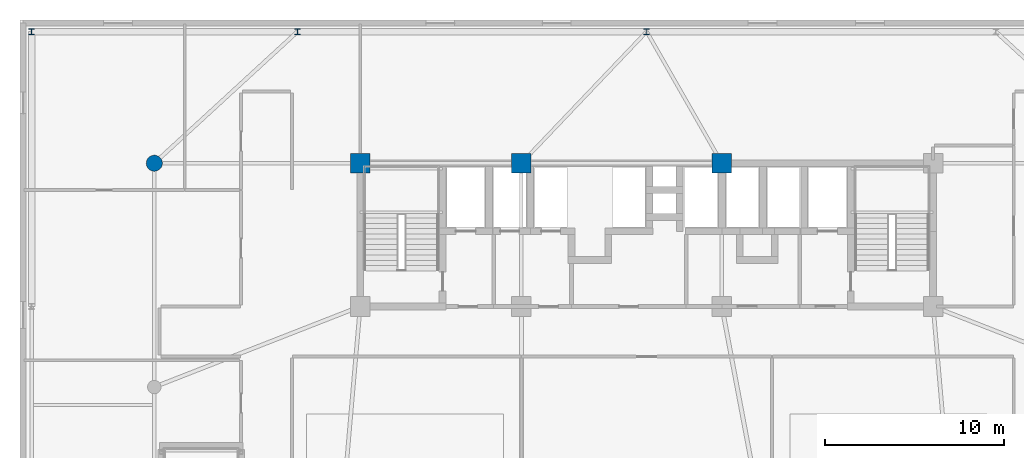
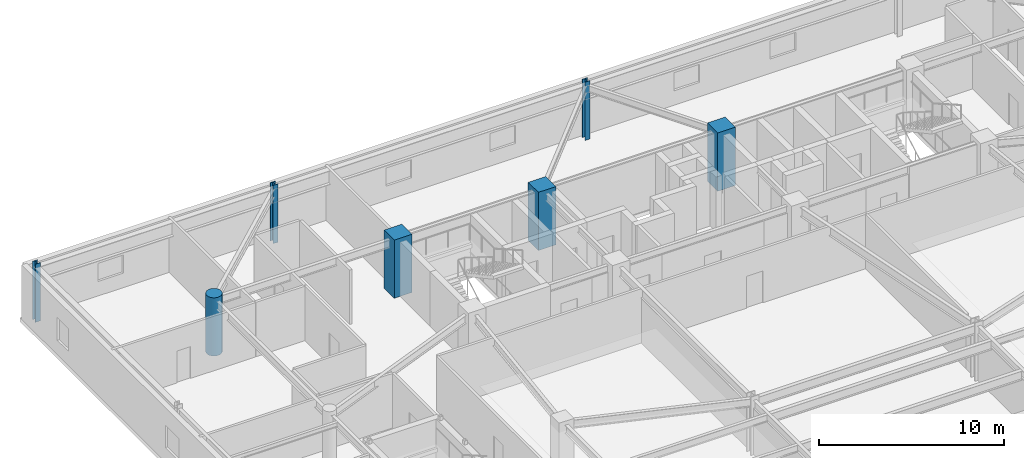
# One storey, part 4 of 26: 7 columns.
"""IFC4 building model written with IfcOpenShell, lengths in metres."""

from ifc_helpers import new_model, si_unit, direction, frame, origin, origin_2d, place, context, subcontext, project, spatial, rectangle, circle, i_section, extrude, source, transform, mapped, material, material_profile, profile_set, type_object, element, save


model = new_model("IFC4")

# Units and contexts
model_context = context("Model", 3, precision=1e-05, world=origin(), true_north=direction((0.0, 1.0)))
body_context = subcontext(model_context, "Body", "Model", "MODEL_VIEW")
ifc_project = project(units=[si_unit("LENGTHUNIT", "METRE"), si_unit("AREAUNIT", "SQUARE_METRE"), si_unit("VOLUMEUNIT", "CUBIC_METRE"), si_unit("PLANEANGLEUNIT", "RADIAN"), si_unit("MASSUNIT", "GRAM", prefix="KILO")], contexts=[model_context])

# Site, building, storey
site_placement = place(None, origin())
site = spatial("IfcSite", under=ifc_project, at=site_placement, CompositionType="ELEMENT")
building_placement = place(site_placement, origin())
building = spatial("IfcBuilding", under=site, at=building_placement, Name="Taldren Reach Tower", CompositionType="ELEMENT")
storey_placement = place(building_placement, frame((0.0, 0.0, 4.550048828125)))
storey = spatial("IfcBuildingStorey", under=building, at=storey_placement, Name="L01", CompositionType="ELEMENT", Elevation=4.550048828125)

# Columns
ifc_material_1 = material(Name="Concrete S100 (100 MPa)", Category="concrete")
ifc_material_profile_1 = material_profile(ifc_material_1, rectangle(XDim=1.10009765625, YDim=1.10009765625, at=origin_2d()), Name="RC-1100x1100")
ifc_profile_set_1 = profile_set([ifc_material_profile_1], Name="Concrete S100 (100 MPa)")
column_type_1 = type_object("IfcColumnType", Name="COL-RC1100", PredefinedType="COLUMN", material=ifc_profile_set_1)
shared_shape_1 = source(origin(), body_context, "Body", "SweptSolid", [
    extrude(rectangle(XDim=1.10009765625, YDim=1.10009765625, at=origin_2d()), origin(), (0.0, 0.0, 1.0), 3.849853515625),
])
for number, where, z_axis, x_axis, name in (
    (1, (19.0, 32.0, 0.0), (0.0, 0.0, 1.0), (1.0, 0.0, 0.0), "Mega column MC-C5 L01"),
    (2, (28.0, 32.0, 0.0), (0.0, 0.0, 1.0), (1.0, 0.0, 0.0), "Mega column MC-C6 L01"),
    (3, (39.199951171875, 32.0, 0.0), (0.0, 0.0, 1.0), (1.0, 0.0, 0.0), "Mega column MC-C7 L01"),
):
    element("IfcColumn", number, at=place(storey_placement, frame(where, z_axis=z_axis, x_axis=x_axis)), inside=storey, type_object=column_type_1, Name=name, PredefinedType="COLUMN", context=body_context, shape_type="MappedRepresentation", body=[
        mapped(shared_shape_1, transform((0.0, 0.0, 0.0), scale=1.0)),
    ])
ifc_material_2 = material(Name="Concrete S80 (80 MPa)", Category="concrete")
ifc_material_profile_2 = material_profile(ifc_material_2, circle(Radius=0.449951171875, at=origin_2d()), Name="RC-900D")
ifc_profile_set_2 = profile_set([ifc_material_profile_2], Name="Concrete S80 (80 MPa)")
column_type_2 = type_object("IfcColumnType", Name="COL-RCD900", PredefinedType="COLUMN", material=ifc_profile_set_2)
shared_shape_2 = source(origin(), body_context, "Body", "SweptSolid", [
    extrude(circle(Radius=0.449951171875, at=origin_2d()), origin(), (0.0, 0.0, 1.0), 3.849853515625),
])
column_placement = place(storey_placement, frame((7.5, 32.0, 0.0), z_axis=(0.0, 0.0, 1.0), x_axis=(1.0, 0.0, 0.0)))
element("IfcColumn", 4, at=column_placement, inside=storey, type_object=column_type_2, Name="Podium structural column PG-3 L01", PredefinedType="COLUMN", context=body_context, shape_type="MappedRepresentation", body=[
    mapped(shared_shape_2, transform((0.0, 0.0, 0.0), scale=1.0)),
])
ifc_material_3 = material(Name="Steel Gr 350 (350PLUS)", Category="steel")
ifc_material_profile_3 = material_profile(ifc_material_3, i_section(OverallWidth=0.31103515625, OverallDepth=0.326904296875, WebThickness=0.015625, FlangeThickness=0.02490234375, at=origin_2d()), Name="310UC158")
ifc_profile_set_3 = profile_set([ifc_material_profile_3], Name="Steel Gr 350 (350PLUS)")
column_type_3 = type_object("IfcColumnType", Name="COL-UC310A", PredefinedType="COLUMN", material=ifc_profile_set_3)
shared_shape_3 = source(origin(), body_context, "Body", "SweptSolid", [
    extrude(i_section(OverallWidth=0.31103515625, OverallDepth=0.326904296875, WebThickness=0.015625, FlangeThickness=0.02490234375, at=origin_2d()), origin(), (0.0, 0.0, 1.0), 3.849853515625),
])
for number, where, z_axis, x_axis, name in (
    (5, (0.64990234375, 39.35009765625, 0.0), (0.0, 0.0, 1.0), (1.0, 0.0, 0.0), "Podium structural column PP-W4 L01"),
    (6, (15.5, 39.35009765625, 0.0), (0.0, 0.0, 1.0), (1.0, 0.0, 0.0), "Podium structural column PP-N1 L01"),
    (7, (35.0, 39.35009765625, 0.0), (0.0, 0.0, 1.0), (1.0, 0.0, 0.0), "Podium structural column PP-N2 L01"),
):
    element("IfcColumn", number, at=place(storey_placement, frame(where, z_axis=z_axis, x_axis=x_axis)), inside=storey, type_object=column_type_3, Name=name, PredefinedType="COLUMN", context=body_context, shape_type="MappedRepresentation", body=[
        mapped(shared_shape_3, transform((0.0, 0.0, 0.0), scale=1.0)),
    ])

save(model, "model.ifc")
